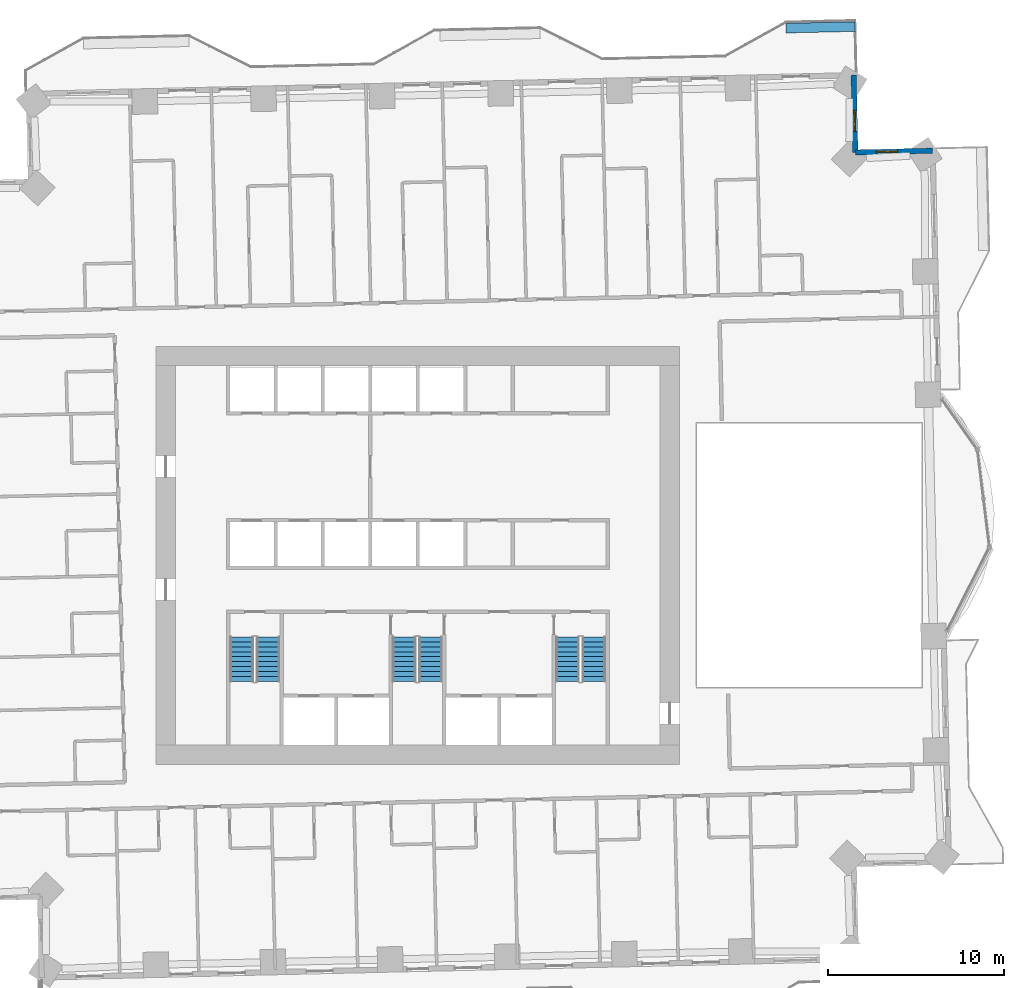
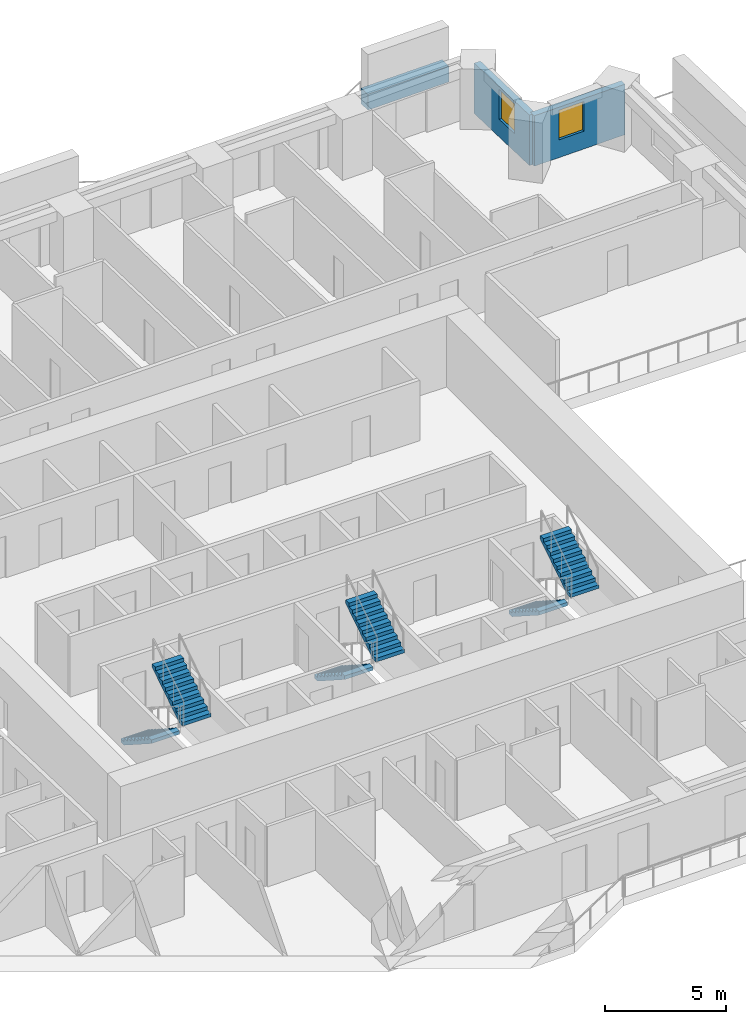
# One storey, part 13 of 17: 6 stair flights, 3 walls, 2 windows, 2 openings, 3 elements without a shape of their own.
"""IFC4 building model written with IfcOpenShell, lengths in metres."""

import ifcopenshell
import ifcopenshell.guid

model = None  # the IFC model being written
_history = None  # IfcOwnerHistory: only IFC2X3 demands one
_inside = {}  # id of a spatial element -> (the spatial element, [elements in it])
_under = {}  # id of a project, library or spatial element -> (it, [spatial elements below it])
_declared = {}  # id of a project -> (the project, [libraries it declares])
_typed = {}  # id of a type object -> (the type object, [elements of that type])
_made_of = {}  # id of a material, layer set ... -> (it, [elements and type objects made of it])


def new_model(schema):
    """Start an empty IFC model of exactly this schema.

    Asked for "IFC4X3", IfcOpenShell would pick the latest addendum, in which some entities
    have other attributes; the version numbers below select the first issue.
    IFC2X3 requires an IfcOwnerHistory on every rooted entity: one is made here for all.
    """
    global model, _history
    if schema == "IFC4X3":
        model = ifcopenshell.file(schema_version=(4, 3, 0, 0))
    else:
        model = ifcopenshell.file(schema=schema)
    _inside.clear()
    _under.clear()
    _declared.clear()
    _typed.clear()
    _made_of.clear()
    _history = None
    if model.schema == "IFC2X3":
        org = make("IfcOrganization", Name="unknown")
        user = make(
            "IfcPersonAndOrganization",
            ThePerson=make("IfcPerson", FamilyName="unknown"),
            TheOrganization=org,
        )
        app = make(
            "IfcApplication",
            ApplicationDeveloper=org,
            Version="unknown",
            ApplicationFullName="unknown",
            ApplicationIdentifier="unknown",
        )
        _history = make(
            "IfcOwnerHistory",
            OwningUser=user,
            OwningApplication=app,
            ChangeAction="ADDED",
            CreationDate=0,
        )
    return model


def make(cls, **values):
    """One entity of the class cls with the attributes given. An attribute that is None is left unset."""
    return model.create_entity(
        cls, **{name: value for name, value in values.items() if value is not None}
    )


def rooted(cls, **values):
    """An entity with a GlobalId (a new one), such as an element, a storey or a relation."""
    return make(cls, GlobalId=ifcopenshell.guid.new(), OwnerHistory=_history, **values)


def si_unit(unit_type, name, prefix=None):
    """IfcSIUnit, for example si_unit("LENGTHUNIT", "METRE", prefix="MILLI")."""
    return make("IfcSIUnit", UnitType=unit_type, Prefix=prefix, Name=name)


def assignment(units):
    """IfcUnitAssignment: the units of a project."""
    return None if units is None else make("IfcUnitAssignment", Units=units)


def point(xyz):
    """IfcCartesianPoint."""
    return None if xyz is None else make("IfcCartesianPoint", Coordinates=xyz)


def direction(xyz):
    """IfcDirection."""
    return None if xyz is None else make("IfcDirection", DirectionRatios=xyz)


def frame(location, z_axis=None, x_axis=None):
    """IfcAxis2Placement3D, a coordinate frame: its origin and axes. An axis left out is left unset."""
    return make(
        "IfcAxis2Placement3D",
        Location=point(location),
        Axis=direction(z_axis),
        RefDirection=direction(x_axis),
    )


def frame_2d(location, x_axis=None):
    """IfcAxis2Placement2D, a coordinate frame in the plane: its origin and x axis."""
    return make(
        "IfcAxis2Placement2D", Location=point(location), RefDirection=direction(x_axis)
    )


def origin():
    """The frame at (0, 0, 0) with its axes left unset."""
    return frame((0.0, 0.0, 0.0))


def place(relative_to, where):
    """IfcLocalPlacement: puts the frame where relative to a parent placement (None: the world)."""
    return make(
        "IfcLocalPlacement", PlacementRelTo=relative_to, RelativePlacement=where
    )


def context(
    kind, dimensions, precision=None, world=None, true_north=None, identifier=None
):
    """IfcGeometricRepresentationContext, for example the 3D "Model" context."""
    return make(
        "IfcGeometricRepresentationContext",
        ContextIdentifier=identifier,
        ContextType=kind,
        CoordinateSpaceDimension=dimensions,
        Precision=precision,
        WorldCoordinateSystem=world,
        TrueNorth=true_north,
    )


def subcontext(parent, identifier, kind, view, scale=None):
    """IfcGeometricRepresentationSubContext, for example "Body" below "Model"."""
    return make(
        "IfcGeometricRepresentationSubContext",
        ContextIdentifier=identifier,
        ContextType=kind,
        ParentContext=parent,
        TargetScale=scale,
        TargetView=view,
    )


def project(units=None, contexts=None):
    """IfcProject with its units and contexts."""
    return rooted(
        "IfcProject",
        Name="project",
        RepresentationContexts=contexts,
        UnitsInContext=assignment(units),
    )


def spatial(cls, under=None, at=None, **own):
    """A site, building, storey or space (cls), placed at a placement, below another one or the project."""
    s = rooted(cls, ObjectPlacement=at, **own)
    if under is not None:
        _under.setdefault(under.id(), (under, []))[1].append(s)
    return s


def polyline(points):
    """IfcPolyline through the points."""
    return make("IfcPolyline", Points=[point(p) for p in points])


def profile(cls, at=None, kind="AREA", **sizes):
    """A parametric profile (cls). Its sizes go by their IFC names, for example OverallWidth=200.0."""
    return make(cls, ProfileType=kind, Position=at, **sizes)


def rectangle(**sizes):
    """IfcRectangleProfileDef."""
    return profile("IfcRectangleProfileDef", **sizes)


def outline(outer, holes=None, kind="AREA"):
    """IfcArbitraryClosedProfileDef: a profile drawn as a closed curve; with holes, ...WithVoids."""
    if holes is None:
        return make("IfcArbitraryClosedProfileDef", ProfileType=kind, OuterCurve=outer)
    return make(
        "IfcArbitraryProfileDefWithVoids",
        ProfileType=kind,
        OuterCurve=outer,
        InnerCurves=holes,
    )


def extrude(swept, where, along, depth):
    """IfcExtrudedAreaSolid: the profile swept, set in the frame where, extruded along a direction by depth."""
    return make(
        "IfcExtrudedAreaSolid",
        SweptArea=swept,
        Position=where,
        ExtrudedDirection=direction(along),
        Depth=depth,
    )


def shape(context_of_items, identifier, shape_type, items):
    """IfcShapeRepresentation: the items that make up one representation, for example the "Body"."""
    return make(
        "IfcShapeRepresentation",
        ContextOfItems=context_of_items,
        RepresentationIdentifier=identifier,
        RepresentationType=shape_type,
        Items=items,
    )


def material(Name=None, Category=None):
    """IfcMaterial."""
    return make("IfcMaterial", Name=Name, Category=Category)


def layer(
    of_material, thickness, ventilated=None, Name=None, Category=None, Priority=None
):
    """IfcMaterialLayer: one layer of a wall or slab, of a material (None: an air gap)."""
    return make(
        "IfcMaterialLayer",
        Material=of_material,
        LayerThickness=thickness,
        IsVentilated=ventilated,
        Name=Name,
        Category=Category,
        Priority=Priority,
    )


def layer_set(layers, Name=None):
    """IfcMaterialLayerSet."""
    return make("IfcMaterialLayerSet", MaterialLayers=layers, LayerSetName=Name)


def made_of(thing, what):
    """Note that an element or type object is made of a material, layer set ...; save() writes the relation."""
    if what is not None:
        _made_of.setdefault(what.id(), (what, []))[1].append(thing)
    return thing


def type_object(cls, material=None, **own):
    """A type object (cls), such as IfcWallType, which elements share."""
    return made_of(rooted(cls, **own), material)


def element(
    cls,
    number,
    at=None,
    inside=None,
    cuts=None,
    type_object=None,
    material=None,
    context=None,
    identifier="Body",
    shape_type=None,
    held_by="IfcProductDefinitionShape",
    body=None,
    shapes=None,
    **own,
):
    """One element of the class cls, such as IfcWall. Its Tag is "e" and its number.

    at: its placement. inside: the storey or other place that contains it. cuts: it is an
    opening in that element (IfcRelVoidsElement). A single representation is given by context,
    identifier, shape_type and body (its items); several are given by shapes. held_by: the class
    of the entity that holds the representations. save() writes the other relations.
    """
    e = rooted(cls, Tag="e%d" % number, ObjectPlacement=at, **own)
    if body is not None:
        shapes = [shape(context, identifier, shape_type, body)]
    if shapes is not None:
        e.Representation = make(held_by, Representations=shapes)
    if inside is not None:
        _inside.setdefault(inside.id(), (inside, []))[1].append(e)
    if cuts is not None:
        rooted(
            "IfcRelVoidsElement", RelatingBuildingElement=cuts, RelatedOpeningElement=e
        )
    if type_object is not None:
        _typed.setdefault(type_object.id(), (type_object, []))[1].append(e)
    return made_of(e, material)


def fill(opening, filler):
    """IfcRelFillsElement: the door or window that sits in an opening."""
    return rooted(
        "IfcRelFillsElement",
        RelatingOpeningElement=opening,
        RelatedBuildingElement=filler,
    )


def aggregate(whole, parts):
    """IfcRelAggregates: a whole, such as a stair, and the parts it consists of."""
    return rooted("IfcRelAggregates", RelatingObject=whole, RelatedObjects=parts)


def save(model, path):
    """Write the relations noted so far, then the file.

    IfcRelAggregates (storeys below a building ...), IfcRelContainedInSpatialStructure (elements
    in a storey), IfcRelDefinesByType, IfcRelAssociatesMaterial and IfcRelDeclares: one each for
    every whole, place, type object, material and project.
    """
    for whole, parts in _under.values():
        aggregate(whole, parts)
    for where, things in _inside.values():
        rooted(
            "IfcRelContainedInSpatialStructure",
            RelatedElements=things,
            RelatingStructure=where,
        )
    for kind, things in _typed.values():
        rooted("IfcRelDefinesByType", RelatedObjects=things, RelatingType=kind)
    for what, things in _made_of.values():
        rooted("IfcRelAssociatesMaterial", RelatedObjects=things, RelatingMaterial=what)
    for by, libraries in _declared.values():
        rooted("IfcRelDeclares", RelatingContext=by, RelatedDefinitions=libraries)
    model.write(path)


model = new_model("IFC4")

# Units and contexts
model_context = context("Model", 3, precision=1e-05, world=origin(), true_north=direction((0.0, 1.0)))
body_context = subcontext(model_context, "Body", "Model", "MODEL_VIEW")
ifc_project = project(units=[si_unit("LENGTHUNIT", "METRE"), si_unit("AREAUNIT", "SQUARE_METRE"), si_unit("VOLUMEUNIT", "CUBIC_METRE"), si_unit("PLANEANGLEUNIT", "RADIAN"), si_unit("MASSUNIT", "GRAM", prefix="KILO")], contexts=[model_context])

# Site, building, storey
site_placement = place(None, origin())
site = spatial("IfcSite", under=ifc_project, at=site_placement, CompositionType="ELEMENT")
building_placement = place(site_placement, origin())
building = spatial("IfcBuilding", under=site, at=building_placement, Name="Mangrove Gate Tower", CompositionType="ELEMENT")
storey_placement = place(building_placement, frame((0.0, 0.0, 86.5)))
storey = spatial("IfcBuildingStorey", under=building, at=storey_placement, Name="L21", CompositionType="ELEMENT", Elevation=86.5)

# Wall, opening, window
ifc_material_1 = material(Name="Limestone", Category="masonry")
ifc_layer_1 = layer(ifc_material_1, 0.0400390625, Name="Limestone cladding")
ifc_material_2 = material(Name="Ventilated air gap")
ifc_layer_2 = layer(ifc_material_2, 0.0400390625, Name="Ventilated cavity")
ifc_material_3 = material(Name="Mineral wool insulation")
ifc_layer_3 = layer(ifc_material_3, 0.06005859375, Name="Insulation")
ifc_material_4 = material(Name="Breather membrane")
ifc_layer_4 = layer(ifc_material_4, 0.001953125, Name="Breather membrane")
ifc_material_5 = material(Name="Concrete C20/25 blockwork", Category="masonry")
ifc_layer_5 = layer(ifc_material_5, 0.14990234375, Name="Blockwork backing wall")
ifc_material_6 = material(Name="Gypsum plaster")
ifc_layer_6 = layer(ifc_material_6, 0.008056640625, Name="Internal plaster")
ifc_layer_set_1 = layer_set([ifc_layer_1, ifc_layer_2, ifc_layer_3, ifc_layer_4, ifc_layer_5, ifc_layer_6], Name="External wall 300 limestone cladding")
wall_type_1 = type_object("IfcWallType", Name="External wall 300 limestone cladding", PredefinedType="SOLIDWALL", material=ifc_layer_set_1)
wall_1_placement = place(storey_placement, frame((29.30810546875, 23.033935546875, 0.0), z_axis=(0.0, 0.0, 1.0), x_axis=(-0.999742493928, -0.022692418004, 0.0)))
wall_1 = element("IfcWall", 1, at=wall_1_placement, inside=storey, type_object=wall_type_1, Name="WALL-L21-N3", PredefinedType="SOLIDWALL", context=body_context, shape_type="SweptSolid", body=[
    extrude(rectangle(XDim=4.400390625, YDim=0.300048828125, at=frame_2d((2.2001953125, 0.0))), origin(), (0.0, 0.0, 1.0), 2.550048828125),
])
opening_1_placement = place(wall_1_placement, frame((2.0, 0.0, 0.89990234375)))
opening_1 = element("IfcOpeningElement", 2, at=opening_1_placement, cuts=wall_1, Name="Opening W1", PredefinedType="OPENING", context=body_context, shape_type="SweptSolid", body=[
    extrude(rectangle(XDim=1.199951171875, YDim=1.5, at=frame_2d((0.60009765625, 0.75))), frame((0.0, 0.159912109375, 0.0), z_axis=(0.0, -1.0, 0.0), x_axis=(1.0, 0.0, 0.0)), (0.0, 0.0, 1.0), 0.320068359375),
])
ifc_material_7 = material(Name="Aluminium frame with double-glazed low-e glass", Category="aluminium")
window_type = type_object("IfcWindowType", Name="Side lite 1200x1500", PartitioningType="SINGLE_PANEL", PredefinedType="WINDOW", material=ifc_material_7)
window_1_placement = place(opening_1_placement, origin())
window_1 = element("IfcWindow", 3, at=window_1_placement, inside=storey, type_object=window_type, Name="WIN-L21-N3-1", OverallHeight=1.5, OverallWidth=1.199951171875, PartitioningType="SINGLE_PANEL", PredefinedType="WINDOW", context=body_context, shape_type="SweptSolid", body=[
    extrude(rectangle(XDim=1.199951171875, YDim=1.5, at=frame_2d((0.60009765625, 0.75))), frame((0.0, 0.030029296875, 0.0), z_axis=(0.0, -1.0, 0.0), x_axis=(1.0, 0.0, 0.0)), (0.0, 0.0, 1.0), 0.06005859375),
])
fill(opening_1, window_1)

wall_2_placement = place(storey_placement, frame((24.908935546875, 22.93408203125, 0.0), z_axis=(0.0, 0.0, 1.0), x_axis=(-0.022693676786, 0.999742465355, 0.0)))
wall_2 = element("IfcWall", 4, at=wall_2_placement, inside=storey, type_object=wall_type_1, Name="WALL-L21-E4", PredefinedType="SOLIDWALL", context=body_context, shape_type="SweptSolid", body=[
    extrude(rectangle(XDim=4.400146484375, YDim=0.300048828125, at=frame_2d((2.2001953125, 0.0))), origin(), (0.0, 0.0, 1.0), 2.550048828125),
])
opening_2_placement = place(wall_2_placement, frame((1.200927734375, 0.0, 0.89990234375)))
opening_2 = element("IfcOpeningElement", 5, at=opening_2_placement, cuts=wall_2, Name="Opening W1", PredefinedType="OPENING", context=body_context, shape_type="SweptSolid", body=[
    extrude(rectangle(XDim=1.199951171875, YDim=1.5, at=frame_2d((0.60009765625, 0.75))), frame((0.0, 0.159912109375, 0.0), z_axis=(0.0, -1.0, 0.0), x_axis=(1.0, 0.0, 0.0)), (0.0, 0.0, 1.0), 0.320068359375),
])
window_2_placement = place(opening_2_placement, origin())
window_2 = element("IfcWindow", 6, at=window_2_placement, inside=storey, type_object=window_type, Name="WIN-L21-E4-1", OverallHeight=1.5, OverallWidth=1.199951171875, PartitioningType="SINGLE_PANEL", PredefinedType="WINDOW", context=body_context, shape_type="SweptSolid", body=[
    extrude(rectangle(XDim=1.199951171875, YDim=1.5, at=frame_2d((0.60009765625, 0.75))), frame((0.0, 0.030029296875, 0.0), z_axis=(0.0, -1.0, 0.0), x_axis=(1.0, 0.0, 0.0)), (0.0, 0.0, 1.0), 0.06005859375),
])
fill(opening_2, window_2)

# Wall
ifc_material_8 = material(Name="Concrete C32/40", Category="concrete")
ifc_layer_7 = layer(ifc_material_8, 0.199951171875, Name="Planter trough wall")
ifc_material_9 = material(Name="Bituminous waterproofing membrane")
ifc_layer_8 = layer(ifc_material_9, 0.0048828125, Name="Waterproofing")
ifc_material_10 = material(Name="Drainage board and gravel")
ifc_layer_9 = layer(ifc_material_10, 0.044921875, Name="Drainage layer")
ifc_material_11 = material(Name="Planting soil")
ifc_layer_10 = layer(ifc_material_11, 0.300048828125, Name="Growing medium")
ifc_layer_set_2 = layer_set([ifc_layer_7, ifc_layer_8, ifc_layer_9, ifc_layer_10], Name="Planter wall 550 C32/40")
wall_type_2 = type_object("IfcWallType", Name="Planter wall 550 C32/40", PredefinedType="USERDEFINED", material=ifc_layer_set_2)
wall_3_placement = place(storey_placement, frame((20.9609375, 30.011962890625, 0.0), z_axis=(0.0, 0.0, 1.0), x_axis=(0.999743689479, 0.022639685238, 0.0)))
element("IfcWall", 7, at=wall_3_placement, inside=storey, type_object=wall_type_2, Name="PLANTER L21 N0.2", ObjectType="PLANTER", PredefinedType="USERDEFINED", context=body_context, shape_type="SweptSolid", body=[
    extrude(rectangle(XDim=3.93603515625, YDim=0.550048828125, at=frame_2d((1.968017578125, 0.0))), origin(), (0.0, 0.0, 1.0), 0.800048828125),
])

# Stair, stair flights
ifc_material_12 = material(Name="Concrete C40/50", Category="concrete")
stair_type = type_object("IfcStairType", Name="Core stair 1350", PredefinedType="HALF_TURN_STAIR", material=ifc_material_12)
stair_1_placement = place(storey_placement, origin())
stair_1 = element("IfcStair", 8, at=stair_1_placement, inside=storey, type_object=stair_type, Name="L21 Stair 1", PredefinedType="HALF_TURN_STAIR")
ifc_material_13 = material(Name="Concrete C40/50", Category="concrete")
stair_flight_type = type_object("IfcStairFlightType", Name="Core stair flight 1350", PredefinedType="STRAIGHT", material=ifc_material_13)
stair_flight_1_placement = place(storey_placement, frame((-10.02490234375, -4.64990234375, 0.0), z_axis=(0.0, 0.0, 1.0), x_axis=(0.0, -1.0, 0.0)))
stair_flight_1 = element("IfcStairFlight", 9, at=stair_flight_1_placement, type_object=stair_flight_type, Name="ST1 flight 1", NumberOfRisers=10, NumberOfTreads=9, PredefinedType="STRAIGHT", RiserHeight=0.18, TreadLength=0.28, context=body_context, shape_type="SweptSolid", body=[
    extrude(outline(polyline([(0.0, 0.0), (0.0, 0.179931640625), (0.280029296875, 0.179931640625), (0.280029296875, 0.360107421875), (0.56005859375, 0.360107421875), (0.56005859375, 0.5400390625), (0.840087890625, 0.5400390625), (0.840087890625, 0.719970703125), (1.1201171875, 0.719970703125), (1.1201171875, 0.89990234375), (1.39990234375, 0.89990234375), (1.39990234375, 1.080078125), (1.679931640625, 1.080078125), (1.679931640625, 1.260009765625), (1.9599609375, 1.260009765625), (1.9599609375, 1.43994140625), (2.239990234375, 1.43994140625), (2.239990234375, 1.6201171875), (2.52001953125, 1.6201171875), (2.52001953125, 1.800048828125), (2.52001953125, 1.44189453125), (0.277099609375, 0.0), (0.0, 0.0)])), frame((0.0, 0.675048828125, 0.0), z_axis=(0.0, -1.0, 0.0), x_axis=(1.0, 0.0, 0.0)), (0.0, 0.0, 1.0), 1.35009765625),
])
stair_flight_2_placement = place(storey_placement, frame((-8.52490234375, -7.169921875, 1.800048828125), z_axis=(0.0, 0.0, 1.0), x_axis=(0.0, 1.0, 0.0)))
stair_flight_2 = element("IfcStairFlight", 10, at=stair_flight_2_placement, type_object=stair_flight_type, Name="ST1 flight 2", NumberOfRisers=10, NumberOfTreads=9, PredefinedType="STRAIGHT", RiserHeight=0.18, TreadLength=0.28, context=body_context, shape_type="SweptSolid", body=[
    extrude(outline(polyline([(0.0, 0.0), (0.0, 0.179931640625), (0.280029296875, 0.179931640625), (0.280029296875, 0.360107421875), (0.56005859375, 0.360107421875), (0.56005859375, 0.5400390625), (0.840087890625, 0.5400390625), (0.840087890625, 0.719970703125), (1.1201171875, 0.719970703125), (1.1201171875, 0.89990234375), (1.39990234375, 0.89990234375), (1.39990234375, 1.080078125), (1.679931640625, 1.080078125), (1.679931640625, 1.260009765625), (1.9599609375, 1.260009765625), (1.9599609375, 1.43994140625), (2.239990234375, 1.43994140625), (2.239990234375, 1.6201171875), (2.52001953125, 1.6201171875), (2.52001953125, 1.800048828125), (2.52001953125, 1.44189453125), (0.277099609375, 0.0), (0.0, 0.0)])), frame((0.0, 0.675048828125, 0.0), z_axis=(0.0, -1.0, 0.0), x_axis=(1.0, 0.0, 0.0)), (0.0, 0.0, 1.0), 1.35009765625),
])
aggregate(stair_1, [stair_flight_1, stair_flight_2])

stair_2_placement = place(storey_placement, origin())
stair_2 = element("IfcStair", 11, at=stair_2_placement, inside=storey, type_object=stair_type, Name="L21 Stair 2", PredefinedType="HALF_TURN_STAIR")
stair_flight_3_placement = place(storey_placement, frame((-0.77490234375, -4.64990234375, 0.0), z_axis=(0.0, 0.0, 1.0), x_axis=(0.0, -1.0, 0.0)))
stair_flight_3 = element("IfcStairFlight", 12, at=stair_flight_3_placement, type_object=stair_flight_type, Name="ST2 flight 1", NumberOfRisers=10, NumberOfTreads=9, PredefinedType="STRAIGHT", RiserHeight=0.18, TreadLength=0.28, context=body_context, shape_type="SweptSolid", body=[
    extrude(outline(polyline([(0.0, 0.0), (0.0, 0.179931640625), (0.280029296875, 0.179931640625), (0.280029296875, 0.360107421875), (0.56005859375, 0.360107421875), (0.56005859375, 0.5400390625), (0.840087890625, 0.5400390625), (0.840087890625, 0.719970703125), (1.1201171875, 0.719970703125), (1.1201171875, 0.89990234375), (1.39990234375, 0.89990234375), (1.39990234375, 1.080078125), (1.679931640625, 1.080078125), (1.679931640625, 1.260009765625), (1.9599609375, 1.260009765625), (1.9599609375, 1.43994140625), (2.239990234375, 1.43994140625), (2.239990234375, 1.6201171875), (2.52001953125, 1.6201171875), (2.52001953125, 1.800048828125), (2.52001953125, 1.44189453125), (0.277099609375, 0.0), (0.0, 0.0)])), frame((0.0, 0.675048828125, 0.0), z_axis=(0.0, -1.0, 0.0), x_axis=(1.0, 0.0, 0.0)), (0.0, 0.0, 1.0), 1.35009765625),
])
stair_flight_4_placement = place(storey_placement, frame((0.72509765625, -7.169921875, 1.800048828125), z_axis=(0.0, 0.0, 1.0), x_axis=(0.0, 1.0, 0.0)))
stair_flight_4 = element("IfcStairFlight", 13, at=stair_flight_4_placement, type_object=stair_flight_type, Name="ST2 flight 2", NumberOfRisers=10, NumberOfTreads=9, PredefinedType="STRAIGHT", RiserHeight=0.18, TreadLength=0.28, context=body_context, shape_type="SweptSolid", body=[
    extrude(outline(polyline([(0.0, 0.0), (0.0, 0.179931640625), (0.280029296875, 0.179931640625), (0.280029296875, 0.360107421875), (0.56005859375, 0.360107421875), (0.56005859375, 0.5400390625), (0.840087890625, 0.5400390625), (0.840087890625, 0.719970703125), (1.1201171875, 0.719970703125), (1.1201171875, 0.89990234375), (1.39990234375, 0.89990234375), (1.39990234375, 1.080078125), (1.679931640625, 1.080078125), (1.679931640625, 1.260009765625), (1.9599609375, 1.260009765625), (1.9599609375, 1.43994140625), (2.239990234375, 1.43994140625), (2.239990234375, 1.6201171875), (2.52001953125, 1.6201171875), (2.52001953125, 1.800048828125), (2.52001953125, 1.44189453125), (0.277099609375, 0.0), (0.0, 0.0)])), frame((0.0, 0.675048828125, 0.0), z_axis=(0.0, -1.0, 0.0), x_axis=(1.0, 0.0, 0.0)), (0.0, 0.0, 1.0), 1.35009765625),
])
aggregate(stair_2, [stair_flight_3, stair_flight_4])

stair_3_placement = place(storey_placement, origin())
stair_3 = element("IfcStair", 14, at=stair_3_placement, inside=storey, type_object=stair_type, Name="L21 Stair 3", PredefinedType="HALF_TURN_STAIR")
stair_flight_5_placement = place(storey_placement, frame((8.52490234375, -4.64990234375, 0.0), z_axis=(0.0, 0.0, 1.0), x_axis=(0.0, -1.0, 0.0)))
stair_flight_5 = element("IfcStairFlight", 15, at=stair_flight_5_placement, type_object=stair_flight_type, Name="ST3 flight 1", NumberOfRisers=10, NumberOfTreads=9, PredefinedType="STRAIGHT", RiserHeight=0.18, TreadLength=0.28, context=body_context, shape_type="SweptSolid", body=[
    extrude(outline(polyline([(0.0, 0.0), (0.0, 0.179931640625), (0.280029296875, 0.179931640625), (0.280029296875, 0.360107421875), (0.56005859375, 0.360107421875), (0.56005859375, 0.5400390625), (0.840087890625, 0.5400390625), (0.840087890625, 0.719970703125), (1.1201171875, 0.719970703125), (1.1201171875, 0.89990234375), (1.39990234375, 0.89990234375), (1.39990234375, 1.080078125), (1.679931640625, 1.080078125), (1.679931640625, 1.260009765625), (1.9599609375, 1.260009765625), (1.9599609375, 1.43994140625), (2.239990234375, 1.43994140625), (2.239990234375, 1.6201171875), (2.52001953125, 1.6201171875), (2.52001953125, 1.800048828125), (2.52001953125, 1.44189453125), (0.277099609375, 0.0), (0.0, 0.0)])), frame((0.0, 0.675048828125, 0.0), z_axis=(0.0, -1.0, 0.0), x_axis=(1.0, 0.0, 0.0)), (0.0, 0.0, 1.0), 1.35009765625),
])
stair_flight_6_placement = place(storey_placement, frame((10.02490234375, -7.169921875, 1.800048828125), z_axis=(0.0, 0.0, 1.0), x_axis=(0.0, 1.0, 0.0)))
stair_flight_6 = element("IfcStairFlight", 16, at=stair_flight_6_placement, type_object=stair_flight_type, Name="ST3 flight 2", NumberOfRisers=10, NumberOfTreads=9, PredefinedType="STRAIGHT", RiserHeight=0.18, TreadLength=0.28, context=body_context, shape_type="SweptSolid", body=[
    extrude(outline(polyline([(0.0, 0.0), (0.0, 0.179931640625), (0.280029296875, 0.179931640625), (0.280029296875, 0.360107421875), (0.56005859375, 0.360107421875), (0.56005859375, 0.5400390625), (0.840087890625, 0.5400390625), (0.840087890625, 0.719970703125), (1.1201171875, 0.719970703125), (1.1201171875, 0.89990234375), (1.39990234375, 0.89990234375), (1.39990234375, 1.080078125), (1.679931640625, 1.080078125), (1.679931640625, 1.260009765625), (1.9599609375, 1.260009765625), (1.9599609375, 1.43994140625), (2.239990234375, 1.43994140625), (2.239990234375, 1.6201171875), (2.52001953125, 1.6201171875), (2.52001953125, 1.800048828125), (2.52001953125, 1.44189453125), (0.277099609375, 0.0), (0.0, 0.0)])), frame((0.0, 0.675048828125, 0.0), z_axis=(0.0, -1.0, 0.0), x_axis=(1.0, 0.0, 0.0)), (0.0, 0.0, 1.0), 1.35009765625),
])
aggregate(stair_3, [stair_flight_5, stair_flight_6])

save(model, "model.ifc")
